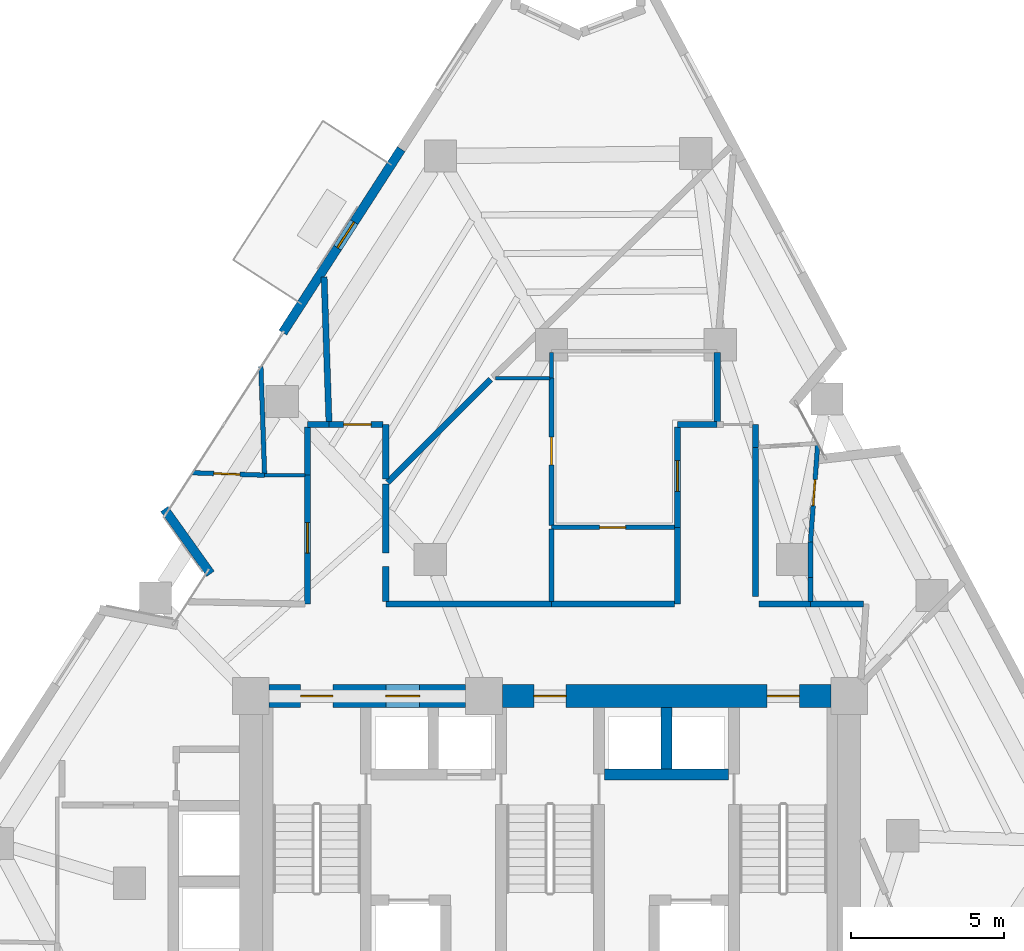
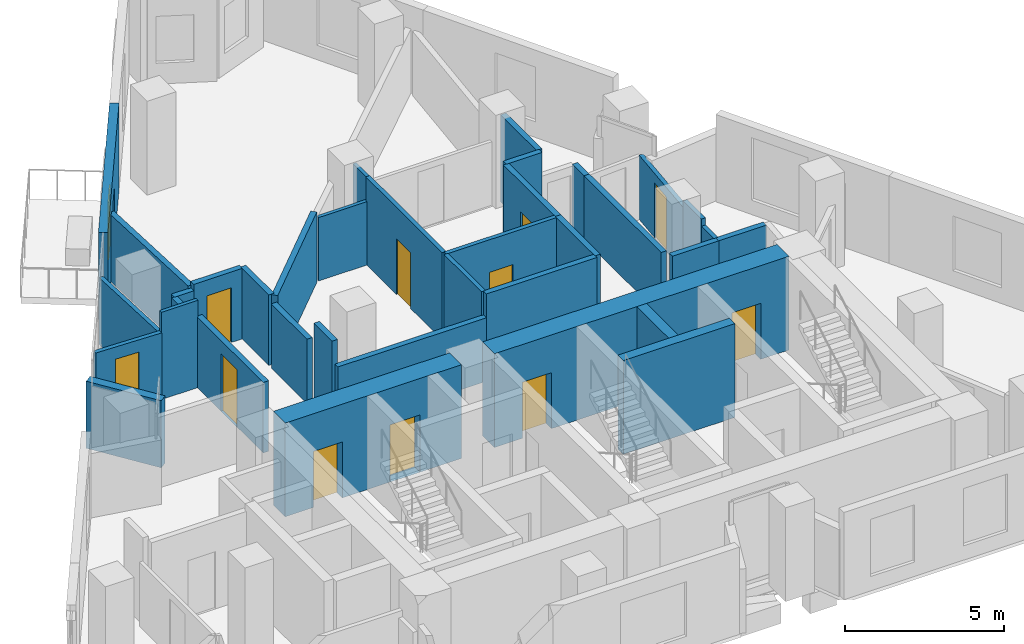
# One storey, part 7 of 10: 36 walls, 12 doors, 12 openings.
"""IFC4 building model written with IfcOpenShell, lengths in metres."""

from ifc_helpers import new_model, si_unit, direction, frame, frame_2d, origin, place, context, subcontext, project, spatial, rectangle, extrude, material, layer, layer_set, type_object, element, fill, save


model = new_model("IFC4")

# Units and contexts
model_context = context("Model", 3, precision=1e-05, world=origin(), true_north=direction((0.0, 1.0)))
body_context = subcontext(model_context, "Body", "Model", "MODEL_VIEW")
ifc_project = project(units=[si_unit("LENGTHUNIT", "METRE"), si_unit("AREAUNIT", "SQUARE_METRE"), si_unit("VOLUMEUNIT", "CUBIC_METRE"), si_unit("PLANEANGLEUNIT", "RADIAN"), si_unit("MASSUNIT", "GRAM", prefix="KILO")], contexts=[model_context])

# Site, building, storey
site_placement = place(None, origin())
site = spatial("IfcSite", under=ifc_project, at=site_placement, CompositionType="ELEMENT")
building_placement = place(site_placement, origin())
building = spatial("IfcBuilding", under=site, at=building_placement, Name="Almagre Mirador Tower", CompositionType="ELEMENT")
storey_placement = place(building_placement, frame((0.0, 0.0, 186.0)))
storey = spatial("IfcBuildingStorey", under=building, at=storey_placement, Name="L48", CompositionType="ELEMENT", Elevation=186.0)

# Wall
ifc_material_1 = material(Name="Precast concrete C50/60", Category="concrete")
ifc_layer_1 = layer(ifc_material_1, 0.300048828125)
ifc_layer_set_1 = layer_set([ifc_layer_1], Name="Precast concrete C50/60")
wall_type_1 = type_object("IfcWallType", Name="WAL-EXT-300", PredefinedType="SOLIDWALL", material=ifc_layer_set_1)
wall_1_placement = place(storey_placement, frame((26.2373046875, 18.737060546875, 0.0), z_axis=(0.0, 0.0, 1.0), x_axis=(-0.580472212384, 0.814280056645, 0.0)))
element("IfcWall", 1, at=wall_1_placement, inside=storey, type_object=wall_type_1, Name="L48 expressed almagre precast frame wall 02", PredefinedType="SOLIDWALL", context=body_context, shape_type="SweptSolid", body=[
    extrude(rectangle(XDim=2.59375, YDim=0.300048828125, at=frame_2d((1.296875, 0.0))), origin(), (0.0, 0.0, 1.0), 2.574951171875),
])

# Wall, opening, door
wall_2_placement = place(storey_placement, frame((28.593994140625, 26.59716796875, 0.0), z_axis=(0.0, 0.0, 1.0), x_axis=(0.542031523986, 0.840358154006, 0.0)))
wall_2 = element("IfcWall", 2, at=wall_2_placement, inside=storey, type_object=wall_type_1, Name="L48 expressed almagre precast frame wall 03", PredefinedType="SOLIDWALL", context=body_context, shape_type="SweptSolid", body=[
    extrude(rectangle(XDim=7.11572265625, YDim=0.300048828125, at=frame_2d((3.557861328125, 0.0))), origin(), (0.0, 0.0, 1.0), 3.35009765625),
])
opening_1_placement = place(wall_2_placement, frame((3.2880859375, 0.0, 0.0)))
opening_1 = element("IfcOpeningElement", 3, at=opening_1_placement, cuts=wall_2, Name="Opening BD-01", PredefinedType="OPENING", context=body_context, shape_type="SweptSolid", body=[
    extrude(rectangle(XDim=1.0, YDim=2.199951171875, at=frame_2d((0.5, 1.10009765625))), frame((0.0, 0.159902, 0.0), z_axis=(0.0, -1.0, 0.0), x_axis=(1.0, 0.0, 0.0)), (0.0, 0.0, 1.0), 0.320049),
])
ifc_material_2 = material(Name="Black anodized aluminium and laminated glass", Category="aluminium")
door_type_1 = type_object("IfcDoorType", Name="DOR-BAL-1000X2200", OperationType="NOTDEFINED", PredefinedType="DOOR", material=ifc_material_2)
door_1_placement = place(opening_1_placement, origin())
door_1 = element("IfcDoor", 4, at=door_1_placement, inside=storey, type_object=door_type_1, Name="DR-1510 L48 west balcony glazed door 1", OperationType="SINGLE_SWING_LEFT", OverallHeight=2.199951171875, OverallWidth=1.0, PredefinedType="DOOR", context=body_context, shape_type="SweptSolid", body=[
    extrude(rectangle(XDim=1.0, YDim=2.199951171875, at=frame_2d((0.5, 1.10009765625))), frame((0.0, 0.02490234375, 0.0), z_axis=(0.0, -1.0, 0.0), x_axis=(1.0, 0.0, 0.0)), (0.0, 0.0, 1.0), 0.050048828125),
])
fill(opening_1, door_1)

# Walls
ifc_material_3 = material(Name="Gypsum acoustic stud partition", Category="other")
ifc_layer_2 = layer(ifc_material_3, 0.125)
ifc_layer_set_2 = layer_set([ifc_layer_2], Name="Gypsum acoustic stud partition")
wall_type_2 = type_object("IfcWallType", Name="WAL-PRT-125-UTL", PredefinedType="PARTITIONING", material=ifc_layer_set_2)
wall_3_placement = place(storey_placement, frame((29.31494140625, 21.949951171875, 0.0), z_axis=(0.0, 0.0, 1.0), x_axis=(-1.0, 0.0, 0.0)))
element("IfcWall", 5, at=wall_3_placement, inside=storey, type_object=wall_type_2, Name="L48 interior partition 040", PredefinedType="PARTITIONING", context=body_context, shape_type="SweptSolid", body=[
    extrude(rectangle(XDim=1.31494140625, YDim=0.125, at=frame_2d((0.657470703125, 0.0))), origin(), (0.0, 0.0, 1.0), 3.35009765625),
])
wall_4_placement = place(storey_placement, frame((37.35009765625, 25.9423828125, 0.0), z_axis=(0.0, 0.0, 1.0), x_axis=(0.0, -1.0, 0.0)))
element("IfcWall", 6, at=wall_4_placement, inside=storey, type_object=wall_type_2, Name="L48 interior partition 045", PredefinedType="PARTITIONING", context=body_context, shape_type="SweptSolid", body=[
    extrude(rectangle(XDim=0.832275390625, YDim=0.125, at=frame_2d((0.416015625, 0.0))), origin(), (0.0, 0.0, 1.0), 3.35009765625),
])
wall_5_placement = place(storey_placement, frame((35.530029296875, 25.110107421875, 0.0), z_axis=(0.0, 0.0, 1.0), x_axis=(1.0, 0.0, 0.0)))
element("IfcWall", 7, at=wall_5_placement, inside=storey, type_object=wall_type_2, Name="L48 interior partition 049", PredefinedType="PARTITIONING", context=body_context, shape_type="SweptSolid", body=[
    extrude(rectangle(XDim=1.7724609375, YDim=0.125, at=frame_2d((0.88623046875, 0.0))), origin(), (0.0, 0.0, 1.0), 2.43603515625),
])

# Wall, opening, door
ifc_material_4 = material(Name="Gypsum acoustic stud partition", Category="other")
ifc_layer_3 = layer(ifc_material_4, 0.14990234375)
ifc_layer_set_3 = layer_set([ifc_layer_3], Name="Gypsum acoustic stud partition")
wall_type_3 = type_object("IfcWallType", Name="WAL-PRT-150-STD", PredefinedType="PARTITIONING", material=ifc_layer_set_3)
wall_6_placement = place(storey_placement, frame((28.0, 21.949951171875, 0.0), z_axis=(0.0, 0.0, 1.0), x_axis=(-0.999434960864, 0.033611887826, 0.0)))
wall_6 = element("IfcWall", 8, at=wall_6_placement, inside=storey, type_object=wall_type_3, Name="L48 interior partition 039", PredefinedType="PARTITIONING", context=body_context, shape_type="SweptSolid", body=[
    extrude(rectangle(XDim=2.353271484375, YDim=0.14990234375, at=frame_2d((1.1767578125, 0.0))), origin(), (0.0, 0.0, 1.0), 2.570068359375),
])
opening_2_placement = place(wall_6_placement, frame((0.807373046875, 0.0, 0.0)))
opening_2 = element("IfcOpeningElement", 9, at=opening_2_placement, cuts=wall_6, Name="Opening UD-04", PredefinedType="OPENING", context=body_context, shape_type="SweptSolid", body=[
    extrude(rectangle(XDim=0.85009765625, YDim=2.10009765625, at=frame_2d((0.425048828125, 1.050048828125))), frame((0.0, 0.084951, 0.0), z_axis=(0.0, -1.0, 0.0), x_axis=(1.0, 0.0, 0.0)), (0.0, 0.0, 1.0), 0.169902),
])
ifc_material_5 = material(Name="Moisture-resistant oak timber", Category="wood")
door_type_2 = type_object("IfcDoorType", Name="DOR-UNR-850X2100", OperationType="NOTDEFINED", PredefinedType="DOOR", material=ifc_material_5)
door_2_placement = place(opening_2_placement, origin())
door_2 = element("IfcDoor", 10, at=door_2_placement, inside=storey, type_object=door_type_2, Name="DR-1522 L48 interior door L48-UD-ST to L48-UD-BT", OperationType="SINGLE_SWING_RIGHT", OverallHeight=2.10009765625, OverallWidth=0.85009765625, PredefinedType="DOOR", context=body_context, shape_type="SweptSolid", body=[
    extrude(rectangle(XDim=0.85009765625, YDim=2.10009765625, at=frame_2d((0.425048828125, 1.050048828125))), frame((0.0, 0.02490234375, 0.0), z_axis=(0.0, -1.0, 0.0), x_axis=(1.0, 0.0, 0.0)), (0.0, 0.0, 1.0), 0.050048828125),
])
fill(opening_2, door_2)

# Wall
wall_7_placement = place(storey_placement, frame((27.997802734375, 22.010009765625, 0.0), z_axis=(0.0, 0.0, 1.0), x_axis=(-0.034165077287, 0.999416203338, 0.0)))
element("IfcWall", 11, at=wall_7_placement, inside=storey, type_object=wall_type_3, Name="L48 interior partition 041", PredefinedType="PARTITIONING", context=body_context, shape_type="SweptSolid", body=[
    extrude(rectangle(XDim=3.47998046875, YDim=0.14990234375, at=frame_2d((1.739990234375, 0.0))), origin(), (0.0, 0.0, 1.0), 2.570068359375),
])

# Wall, opening, door
wall_8_placement = place(storey_placement, frame((37.35009765625, 20.25, 0.0), z_axis=(0.0, 0.0, 1.0), x_axis=(1.0, 0.0, 0.0)))
wall_8 = element("IfcWall", 12, at=wall_8_placement, inside=storey, type_object=wall_type_3, Name="L48 interior partition 043", PredefinedType="PARTITIONING", context=body_context, shape_type="SweptSolid", body=[
    extrude(rectangle(XDim=4.014892578125, YDim=0.14990234375, at=frame_2d((2.00732421875, 0.0))), origin(), (0.0, 0.0, 1.0), 3.35009765625),
])
opening_3_placement = place(wall_8_placement, frame((1.565673828125, 0.0, 0.0)))
opening_3 = element("IfcOpeningElement", 13, at=opening_3_placement, cuts=wall_8, Name="Opening UD-04", PredefinedType="OPENING", context=body_context, shape_type="SweptSolid", body=[
    extrude(rectangle(XDim=0.85009765625, YDim=2.10009765625, at=frame_2d((0.425048828125, 1.050048828125))), frame((0.0, 0.084951, 0.0), z_axis=(0.0, -1.0, 0.0), x_axis=(1.0, 0.0, 0.0)), (0.0, 0.0, 1.0), 0.169902),
])
door_3_placement = place(opening_3_placement, origin())
door_3 = element("IfcDoor", 14, at=door_3_placement, inside=storey, type_object=door_type_2, Name="DR-1525 L48 interior door L48-UE-LV to L48-UE-HB", OperationType="SINGLE_SWING_LEFT", OverallHeight=2.10009765625, OverallWidth=0.85009765625, PredefinedType="DOOR", context=body_context, shape_type="SweptSolid", body=[
    extrude(rectangle(XDim=0.85009765625, YDim=2.10009765625, at=frame_2d((0.425048828125, 1.050048828125))), frame((0.0, 0.02490234375, 0.0), z_axis=(0.0, -1.0, 0.0), x_axis=(1.0, 0.0, 0.0)), (0.0, 0.0, 1.0), 0.050048828125),
])
fill(opening_3, door_3)

wall_9_placement = place(storey_placement, frame((37.35009765625, 25.110107421875, 0.0), z_axis=(0.0, 0.0, 1.0), x_axis=(0.0, -1.0, 0.0)))
wall_9 = element("IfcWall", 15, at=wall_9_placement, inside=storey, type_object=wall_type_3, Name="L48 interior partition 046", PredefinedType="PARTITIONING", context=body_context, shape_type="SweptSolid", body=[
    extrude(rectangle(XDim=4.800048828125, YDim=0.14990234375, at=frame_2d((2.39990234375, 0.0))), origin(), (0.0, 0.0, 1.0), 3.35009765625),
])
opening_4_placement = place(wall_9_placement, frame((1.920654296875, 0.0, 0.0)))
opening_4 = element("IfcOpeningElement", 16, at=opening_4_placement, cuts=wall_9, Name="Opening UD-02", PredefinedType="OPENING", context=body_context, shape_type="SweptSolid", body=[
    extrude(rectangle(XDim=0.89990234375, YDim=2.14990234375, at=frame_2d((0.449951171875, 1.074951171875))), frame((0.0, 0.084951, 0.0), z_axis=(0.0, -1.0, 0.0), x_axis=(1.0, 0.0, 0.0)), (0.0, 0.0, 1.0), 0.169902),
])
ifc_material_6 = material(Name="Solid American walnut timber", Category="wood")
door_type_3 = type_object("IfcDoorType", Name="DOR-UNR-900X2150", OperationType="NOTDEFINED", PredefinedType="DOOR", material=ifc_material_6)
door_4_placement = place(opening_4_placement, origin())
door_4 = element("IfcDoor", 17, at=door_4_placement, inside=storey, type_object=door_type_3, Name="DR-1526 L48 interior door L48-UE-LV to L48-UE-MB", OperationType="SINGLE_SWING_RIGHT", OverallHeight=2.14990234375, OverallWidth=0.89990234375, PredefinedType="DOOR", context=body_context, shape_type="SweptSolid", body=[
    extrude(rectangle(XDim=0.89990234375, YDim=2.14990234375, at=frame_2d((0.449951171875, 1.074951171875))), frame((0.0, 0.02490234375, 0.0), z_axis=(0.0, -1.0, 0.0), x_axis=(1.0, 0.0, 0.0)), (0.0, 0.0, 1.0), 0.050048828125),
])
fill(opening_4, door_4)

# Walls
wall_10_placement = place(storey_placement, frame((37.35009765625, 20.18994140625, 0.0), z_axis=(0.0, 0.0, 1.0), x_axis=(0.0, -1.0, 0.0)))
element("IfcWall", 18, at=wall_10_placement, inside=storey, type_object=wall_type_3, Name="L48 interior partition 048", PredefinedType="PARTITIONING", context=body_context, shape_type="SweptSolid", body=[
    extrude(rectangle(XDim=2.35498046875, YDim=0.14990234375, at=frame_2d((1.177490234375, 0.0))), origin(), (0.0, 0.0, 1.0), 3.35009765625),
])
wall_11_placement = place(storey_placement, frame((45.7900390625, 18.6201171875, 0.0), z_axis=(0.0, 0.0, 1.0), x_axis=(0.0, -1.0, 0.0)))
element("IfcWall", 19, at=wall_11_placement, inside=storey, type_object=wall_type_3, Name="L48 interior partition 054", PredefinedType="PARTITIONING", context=body_context, shape_type="SweptSolid", body=[
    extrude(rectangle(XDim=0.78515625, YDim=0.14990234375, at=frame_2d((0.392578125, 0.0))), origin(), (0.0, 0.0, 1.0), 2.43603515625),
])

# Wall, opening, door
wall_12_placement = place(storey_placement, frame((46.0234375, 22.939697265625, 0.0), z_axis=(0.0, 0.0, 1.0), x_axis=(-0.073667317679, -0.99728287176, 0.0)))
wall_12 = element("IfcWall", 20, at=wall_12_placement, inside=storey, type_object=wall_type_3, Name="L48 interior partition 055", PredefinedType="PARTITIONING", context=body_context, shape_type="SweptSolid", body=[
    extrude(rectangle(XDim=3.168212890625, YDim=0.14990234375, at=frame_2d((1.583984375, 0.0))), origin(), (0.0, 0.0, 1.0), 2.464111328125),
])
opening_5_placement = place(wall_12_placement, frame((1.135498046875, 0.0, 0.0)))
opening_5 = element("IfcOpeningElement", 21, at=opening_5_placement, cuts=wall_12, Name="Opening UD-04", PredefinedType="OPENING", context=body_context, shape_type="SweptSolid", body=[
    extrude(rectangle(XDim=0.85009765625, YDim=2.10009765625, at=frame_2d((0.425048828125, 1.050048828125))), frame((0.0, 0.084951, 0.0), z_axis=(0.0, -1.0, 0.0), x_axis=(1.0, 0.0, 0.0)), (0.0, 0.0, 1.0), 0.169902),
])
door_5_placement = place(opening_5_placement, origin())
door_5 = element("IfcDoor", 22, at=door_5_placement, inside=storey, type_object=door_type_2, Name="DR-1529 L48 interior door L48-UF-BT to L48-UF-KT", OperationType="SINGLE_SWING_RIGHT", OverallHeight=2.10009765625, OverallWidth=0.85009765625, PredefinedType="DOOR", context=body_context, shape_type="SweptSolid", body=[
    extrude(rectangle(XDim=0.85009765625, YDim=2.10009765625, at=frame_2d((0.425048828125, 1.050048828125))), frame((0.0, 0.02490234375, 0.0), z_axis=(0.0, -1.0, 0.0), x_axis=(1.0, 0.0, 0.0)), (0.0, 0.0, 1.0), 0.050048828125),
])
fill(opening_5, door_5)

# Wall
wall_13_placement = place(storey_placement, frame((45.7900390625, 19.780029296875, 0.0), z_axis=(0.0, 0.0, 1.0), x_axis=(0.0, -1.0, 0.0)))
element("IfcWall", 23, at=wall_13_placement, inside=storey, type_object=wall_type_3, Name="L48 interior partition 061", PredefinedType="PARTITIONING", context=body_context, shape_type="SweptSolid", body=[
    extrude(rectangle(XDim=1.159912109375, YDim=0.14990234375, at=frame_2d((0.580078125, 0.0))), origin(), (0.0, 0.0, 1.0), 2.708984375),
])

# Wall, opening, door
ifc_material_7 = material(Name="Gypsum acoustic stud partition", Category="other")
ifc_layer_4 = layer(ifc_material_7, 0.199951171875)
ifc_layer_set_4 = layer_set([ifc_layer_4], Name="Gypsum acoustic stud partition")
wall_type_4 = type_object("IfcWallType", Name="WAL-PRT-200-EI60", PredefinedType="PARTITIONING", material=ifc_layer_set_4)
wall_14_placement = place(storey_placement, frame((29.39990234375, 21.949951171875, 0.0), z_axis=(0.0, 0.0, 1.0), x_axis=(0.0, -1.0, 0.0)))
wall_14 = element("IfcWall", 24, at=wall_14_placement, inside=storey, type_object=wall_type_4, Name="L48 interior partition 003", PredefinedType="PARTITIONING", context=body_context, shape_type="SweptSolid", body=[
    extrude(rectangle(XDim=4.199951171875, YDim=0.199951171875, at=frame_2d((2.10009765625, 0.0))), origin(), (0.0, 0.0, 1.0), 2.708984375),
])
opening_6_placement = place(wall_14_placement, frame((1.54150390625, 0.0, 0.0)))
opening_6 = element("IfcOpeningElement", 25, at=opening_6_placement, cuts=wall_14, Name="Opening ID-01", PredefinedType="OPENING", context=body_context, shape_type="SweptSolid", body=[
    extrude(rectangle(XDim=1.0, YDim=2.199951171875, at=frame_2d((0.5, 1.10009765625))), frame((0.0, 0.110098, 0.0), z_axis=(0.0, -1.0, 0.0), x_axis=(1.0, 0.0, 0.0)), (0.0, 0.0, 1.0), 0.219951),
])
ifc_material_8 = material(Name="Fire-rated walnut timber", Category="wood")
door_type_4 = type_object("IfcDoorType", Name="DOR-FD60-1000X2200", OperationType="NOTDEFINED", PredefinedType="DOOR", material=ifc_material_8)
door_6_placement = place(opening_6_placement, origin())
door_6 = element("IfcDoor", 26, at=door_6_placement, inside=storey, type_object=door_type_4, Name="DR-1521 L48 interior door L48-RCOR to L48-UD-ST", OperationType="SINGLE_SWING_RIGHT", OverallHeight=2.199951171875, OverallWidth=1.0, PredefinedType="DOOR", context=body_context, shape_type="SweptSolid", body=[
    extrude(rectangle(XDim=1.0, YDim=2.199951171875, at=frame_2d((0.5, 1.10009765625))), frame((0.0, 0.02490234375, 0.0), z_axis=(0.0, -1.0, 0.0), x_axis=(1.0, 0.0, 0.0)), (0.0, 0.0, 1.0), 0.050048828125),
])
fill(opening_6, door_6)

# Walls
wall_15_placement = place(storey_placement, frame((30.10009765625, 23.60009765625, 0.0), z_axis=(0.0, 0.0, 1.0), x_axis=(-1.0, 0.0, 0.0)))
element("IfcWall", 27, at=wall_15_placement, inside=storey, type_object=wall_type_4, Name="L48 interior partition 005", PredefinedType="PARTITIONING", context=body_context, shape_type="SweptSolid", body=[
    extrude(rectangle(XDim=0.7001953125, YDim=0.199951171875, at=frame_2d((0.35009765625, 0.0))), origin(), (0.0, 0.0, 1.0), 2.464111328125),
])
wall_16_placement = place(storey_placement, frame((29.39990234375, 23.514892578125, 0.0), z_axis=(0.0, 0.0, 1.0), x_axis=(0.0, -1.0, 0.0)))
element("IfcWall", 28, at=wall_16_placement, inside=storey, type_object=wall_type_4, Name="L48 interior partition 006", PredefinedType="PARTITIONING", context=body_context, shape_type="SweptSolid", body=[
    extrude(rectangle(XDim=1.56494140625, YDim=0.199951171875, at=frame_2d((0.782470703125, 0.0))), origin(), (0.0, 0.0, 1.0), 2.464111328125),
])
wall_17_placement = place(storey_placement, frame((42.75, 23.60009765625, 0.0), z_axis=(0.0, 0.0, 1.0), x_axis=(-1.0, 0.0, 0.0)))
element("IfcWall", 29, at=wall_17_placement, inside=storey, type_object=wall_type_4, Name="L48 interior partition 007", PredefinedType="PARTITIONING", context=body_context, shape_type="SweptSolid", body=[
    extrude(rectangle(XDim=1.300048828125, YDim=0.199951171875, at=frame_2d((0.64990234375, 0.0))), origin(), (0.0, 0.0, 1.0), 3.35009765625),
])

# Wall, opening, door
wall_18_placement = place(storey_placement, frame((41.449951171875, 23.514892578125, 0.0), z_axis=(0.0, 0.0, 1.0), x_axis=(0.0, -1.0, 0.0)))
wall_18 = element("IfcWall", 30, at=wall_18_placement, inside=storey, type_object=wall_type_4, Name="L48 interior partition 008", PredefinedType="PARTITIONING", context=body_context, shape_type="SweptSolid", body=[
    extrude(rectangle(XDim=3.264892578125, YDim=0.199951171875, at=frame_2d((1.63232421875, 0.0))), origin(), (0.0, 0.0, 1.0), 3.35009765625),
])
opening_7_placement = place(wall_18_placement, frame((1.090087890625, 0.0, 0.0)))
opening_7 = element("IfcOpeningElement", 31, at=opening_7_placement, cuts=wall_18, Name="Opening ID-01", PredefinedType="OPENING", context=body_context, shape_type="SweptSolid", body=[
    extrude(rectangle(XDim=1.0, YDim=2.199951171875, at=frame_2d((0.5, 1.10009765625))), frame((0.0, 0.110098, 0.0), z_axis=(0.0, -1.0, 0.0), x_axis=(1.0, 0.0, 0.0)), (0.0, 0.0, 1.0), 0.219951),
])
door_7_placement = place(opening_7_placement, origin())
door_7 = element("IfcDoor", 32, at=door_7_placement, inside=storey, type_object=door_type_4, Name="DR-1523 L48 interior door L48-RCOR to L48-UE-LV", OperationType="SINGLE_SWING_LEFT", OverallHeight=2.199951171875, OverallWidth=1.0, PredefinedType="DOOR", context=body_context, shape_type="SweptSolid", body=[
    extrude(rectangle(XDim=1.0, YDim=2.199951171875, at=frame_2d((0.5, 1.10009765625))), frame((0.0, 0.02490234375, 0.0), z_axis=(0.0, -1.0, 0.0), x_axis=(1.0, 0.0, 0.0)), (0.0, 0.0, 1.0), 0.050048828125),
])
fill(opening_7, door_7)

# Walls
wall_19_placement = place(storey_placement, frame((41.449951171875, 20.25, 0.0), z_axis=(0.0, 0.0, 1.0), x_axis=(0.0, -1.0, 0.0)))
element("IfcWall", 33, at=wall_19_placement, inside=storey, type_object=wall_type_4, Name="L48 interior partition 009", PredefinedType="PARTITIONING", context=body_context, shape_type="SweptSolid", body=[
    extrude(rectangle(XDim=2.5, YDim=0.199951171875, at=frame_2d((1.25, 0.0))), origin(), (0.0, 0.0, 1.0), 3.35009765625),
])
wall_20_placement = place(storey_placement, frame((41.364990234375, 17.75, 0.0), z_axis=(0.0, 0.0, 1.0), x_axis=(-1.0, 0.0, 0.0)))
element("IfcWall", 34, at=wall_20_placement, inside=storey, type_object=wall_type_4, Name="L48 interior partition 010", PredefinedType="PARTITIONING", context=body_context, shape_type="SweptSolid", body=[
    extrude(rectangle(XDim=4.014892578125, YDim=0.199951171875, at=frame_2d((2.00732421875, 0.0))), origin(), (0.0, 0.0, 1.0), 3.35009765625),
])
wall_21_placement = place(storey_placement, frame((37.35009765625, 17.75, 0.0), z_axis=(0.0, 0.0, 1.0), x_axis=(-1.0, 0.0, 0.0)))
element("IfcWall", 35, at=wall_21_placement, inside=storey, type_object=wall_type_4, Name="L48 interior partition 011", PredefinedType="PARTITIONING", context=body_context, shape_type="SweptSolid", body=[
    extrude(rectangle(XDim=5.400146484375, YDim=0.199951171875, at=frame_2d((2.7001953125, 0.0))), origin(), (0.0, 0.0, 1.0), 2.43603515625),
])
wall_22_placement = place(storey_placement, frame((31.949951171875, 17.8349609375, 0.0), z_axis=(0.0, 0.0, 1.0), x_axis=(0.0, 1.0, 0.0)))
element("IfcWall", 36, at=wall_22_placement, inside=storey, type_object=wall_type_4, Name="L48 interior partition 012", PredefinedType="PARTITIONING", context=body_context, shape_type="SweptSolid", body=[
    extrude(rectangle(XDim=1.14501953125, YDim=0.199951171875, at=frame_2d((0.572509765625, 0.0))), origin(), (0.0, 0.0, 1.0), 3.35009765625),
])
wall_23_placement = place(storey_placement, frame((31.949951171875, 19.419921875, 0.0), z_axis=(0.0, 0.0, 1.0), x_axis=(0.0, 1.0, 0.0)))
element("IfcWall", 37, at=wall_23_placement, inside=storey, type_object=wall_type_4, Name="L48 interior partition 013", PredefinedType="PARTITIONING", context=body_context, shape_type="SweptSolid", body=[
    extrude(rectangle(XDim=2.239990234375, YDim=0.199951171875, at=frame_2d((1.1201171875, 0.0))), origin(), (0.0, 0.0, 1.0), 2.464111328125),
])
wall_24_placement = place(storey_placement, frame((44.0, 22.860107421875, 0.0), z_axis=(0.0, 0.0, 1.0), x_axis=(0.0, 1.0, 0.0)))
element("IfcWall", 38, at=wall_24_placement, inside=storey, type_object=wall_type_4, Name="L48 interior partition 014", PredefinedType="PARTITIONING", context=body_context, shape_type="SweptSolid", body=[
    extrude(rectangle(XDim=0.739990234375, YDim=0.199951171875, at=frame_2d((0.3701171875, 0.0))), origin(), (0.0, 0.0, 1.0), 2.43603515625),
])
wall_25_placement = place(storey_placement, frame((47.514892578125, 17.75, 0.0), z_axis=(0.0, 0.0, 1.0), x_axis=(-1.0, 0.0, 0.0)))
element("IfcWall", 39, at=wall_25_placement, inside=storey, type_object=wall_type_4, Name="L48 interior partition 017", PredefinedType="PARTITIONING", context=body_context, shape_type="SweptSolid", body=[
    extrude(rectangle(XDim=1.724853515625, YDim=0.199951171875, at=frame_2d((0.8623046875, 0.0))), origin(), (0.0, 0.0, 1.0), 2.43603515625),
])
wall_26_placement = place(storey_placement, frame((44.0, 18.0, 0.0), z_axis=(0.0, 0.0, 1.0), x_axis=(0.0, 1.0, 0.0)))
element("IfcWall", 40, at=wall_26_placement, inside=storey, type_object=wall_type_4, Name="L48 interior partition 018", PredefinedType="PARTITIONING", context=body_context, shape_type="SweptSolid", body=[
    extrude(rectangle(XDim=4.860107421875, YDim=0.199951171875, at=frame_2d((2.43017578125, 0.0))), origin(), (0.0, 0.0, 1.0), 2.43603515625),
])
wall_27_placement = place(storey_placement, frame((45.7900390625, 17.75, 0.0), z_axis=(0.0, 0.0, 1.0), x_axis=(-1.0, 0.0, 0.0)))
element("IfcWall", 41, at=wall_27_placement, inside=storey, type_object=wall_type_4, Name="L48 interior partition 019", PredefinedType="PARTITIONING", context=body_context, shape_type="SweptSolid", body=[
    extrude(rectangle(XDim=1.679931640625, YDim=0.199951171875, at=frame_2d((0.83984375, 0.0))), origin(), (0.0, 0.0, 1.0), 2.43603515625),
])
wall_28_placement = place(storey_placement, frame((31.949951171875, 21.820068359375, 0.0), z_axis=(0.0, 0.0, 1.0), x_axis=(0.0, 1.0, 0.0)))
element("IfcWall", 42, at=wall_28_placement, inside=storey, type_object=wall_type_4, Name="L48 interior partition 020", PredefinedType="PARTITIONING", context=body_context, shape_type="SweptSolid", body=[
    extrude(rectangle(XDim=1.780029296875, YDim=0.199951171875, at=frame_2d((0.89013671875, 0.0))), origin(), (0.0, 0.0, 1.0), 2.708984375),
])

# Wall, opening, door
wall_29_placement = place(storey_placement, frame((31.864990234375, 23.60009765625, 0.0), z_axis=(0.0, 0.0, 1.0), x_axis=(-1.0, 0.0, 0.0)))
wall_29 = element("IfcWall", 43, at=wall_29_placement, inside=storey, type_object=wall_type_4, Name="L48 interior partition 021", PredefinedType="PARTITIONING", context=body_context, shape_type="SweptSolid", body=[
    extrude(rectangle(XDim=1.764892578125, YDim=0.199951171875, at=frame_2d((0.88232421875, 0.0))), origin(), (0.0, 0.0, 1.0), 2.708984375),
])
opening_8_placement = place(wall_29_placement, frame((0.389892578125, 0.0, 0.0)))
opening_8 = element("IfcOpeningElement", 44, at=opening_8_placement, cuts=wall_29, Name="Opening ID-03", PredefinedType="OPENING", context=body_context, shape_type="SweptSolid", body=[
    extrude(rectangle(XDim=0.89990234375, YDim=2.10009765625, at=frame_2d((0.449951171875, 1.050048828125))), frame((0.0, 0.110098, 0.0), z_axis=(0.0, -1.0, 0.0), x_axis=(1.0, 0.0, 0.0)), (0.0, 0.0, 1.0), 0.219951),
])
ifc_material_9 = material(Name="Fire-rated hollow steel", Category="steel")
door_type_5 = type_object("IfcDoorType", Name="DOR-FD60-900X2100", OperationType="NOTDEFINED", PredefinedType="DOOR", material=ifc_material_9)
door_8_placement = place(opening_8_placement, origin())
door_8 = element("IfcDoor", 45, at=door_8_placement, inside=storey, type_object=door_type_5, Name="DR-1516 L48 interior door L48-RCOR to L48-RST-G", OperationType="SINGLE_SWING_RIGHT", OverallHeight=2.10009765625, OverallWidth=0.89990234375, PredefinedType="DOOR", context=body_context, shape_type="SweptSolid", body=[
    extrude(rectangle(XDim=0.89990234375, YDim=2.10009765625, at=frame_2d((0.449951171875, 1.050048828125))), frame((0.0, 0.02490234375, 0.0), z_axis=(0.0, -1.0, 0.0), x_axis=(1.0, 0.0, 0.0)), (0.0, 0.0, 1.0), 0.050048828125),
])
fill(opening_8, door_8)

# Walls
wall_30_placement = place(storey_placement, frame((30.097900390625, 23.68505859375, 0.0), z_axis=(0.0, 0.0, 1.0), x_axis=(-0.033582780866, 0.999435939332, 0.0)))
element("IfcWall", 46, at=wall_30_placement, inside=storey, type_object=wall_type_4, Name="L48 interior partition 042", PredefinedType="PARTITIONING", context=body_context, shape_type="SweptSolid", body=[
    extrude(rectangle(XDim=4.732666015625, YDim=0.199951171875, at=frame_2d((2.3662109375, 0.0))), origin(), (0.0, 0.0, 1.0), 2.570068359375),
])
wall_31_placement = place(storey_placement, frame((42.75, 23.68505859375, 0.0), z_axis=(0.0, 0.0, 1.0), x_axis=(0.0, 1.0, 0.0)))
element("IfcWall", 47, at=wall_31_placement, inside=storey, type_object=wall_type_4, Name="L48 interior partition 047", PredefinedType="PARTITIONING", context=body_context, shape_type="SweptSolid", body=[
    extrude(rectangle(XDim=2.25732421875, YDim=0.199951171875, at=frame_2d((1.128662109375, 0.0))), origin(), (0.0, 0.0, 1.0), 3.35009765625),
])
wall_32_placement = place(storey_placement, frame((35.366455078125, 25.076416015625, 0.0), z_axis=(0.0, 0.0, 1.0), x_axis=(-0.707132498369, -0.707081063069, 0.0)))
element("IfcWall", 48, at=wall_32_placement, inside=storey, type_object=wall_type_4, Name="L48 interior partition 052", PredefinedType="PARTITIONING", context=body_context, shape_type="SweptSolid", body=[
    extrude(rectangle(XDim=4.74658203125, YDim=0.199951171875, at=frame_2d((2.373291015625, 0.0))), origin(), (0.0, 0.0, 1.0), 2.708984375),
])
ifc_material_10 = material(Name="Concrete C60/75", Category="concrete")
ifc_layer_5 = layer(ifc_material_10, 0.35009765625)
ifc_layer_set_5 = layer_set([ifc_layer_5], Name="Concrete C60/75")
wall_type_5 = type_object("IfcWallType", Name="WAL-SHF-350", PredefinedType="SOLIDWALL", material=ifc_layer_set_5)
wall_33_placement = place(storey_placement, frame((39.074951171875, 12.199951171875, 0.0), z_axis=(0.0, 0.0, 1.0), x_axis=(1.0, 0.0, 0.0)))
element("IfcWall", 49, at=wall_33_placement, inside=storey, type_object=wall_type_5, Name="L48 shaft wall PLH-S", PredefinedType="SOLIDWALL", context=body_context, shape_type="SweptSolid", body=[
    extrude(rectangle(XDim=4.050048828125, YDim=0.35009765625, at=frame_2d((2.02490234375, 0.0))), origin(), (0.0, 0.0, 1.0), 3.60009765625),
])
wall_34_placement = place(storey_placement, frame((41.10009765625, 12.375, 0.0), z_axis=(0.0, 0.0, 1.0), x_axis=(0.0, 1.0, 0.0)))
element("IfcWall", 50, at=wall_34_placement, inside=storey, type_object=wall_type_5, Name="L48 shaft wall PLH-M", PredefinedType="SOLIDWALL", context=body_context, shape_type="SweptSolid", body=[
    extrude(rectangle(XDim=2.0, YDim=0.35009765625, at=frame_2d((1.0, 0.0))), origin(), (0.0, 0.0, 1.0), 3.60009765625),
])

# Wall, openings, doors
ifc_material_11 = material(Name="Concrete C60/75", Category="concrete")
ifc_layer_6 = layer(ifc_material_11, 0.75)
ifc_layer_set_6 = layer_set([ifc_layer_6], Name="Concrete C60/75")
wall_type_6 = type_object("IfcWallType", Name="WAL-SHR-750", PredefinedType="SHEAR", material=ifc_layer_set_6)
wall_35_placement = place(storey_placement, frame((28.14990234375, 14.75, 0.0), z_axis=(0.0, 0.0, 1.0), x_axis=(1.0, 0.0, 0.0)))
wall_35 = element("IfcWall", 51, at=wall_35_placement, inside=storey, type_object=wall_type_6, Name="L48 core shear wall N1", PredefinedType="SHEAR", context=body_context, shape_type="SweptSolid", body=[
    extrude(rectangle(XDim=6.400146484375, YDim=0.75, at=frame_2d((3.2001953125, 0.0))), origin(), (0.0, 0.0, 1.0), 3.60009765625),
])
opening_9_placement = place(wall_35_placement, frame((1.02490234375, 0.0, 0.0)))
opening_9 = element("IfcOpeningElement", 52, at=opening_9_placement, cuts=wall_35, Name="Opening SD-01", PredefinedType="OPENING", context=body_context, shape_type="SweptSolid", body=[
    extrude(rectangle(XDim=1.050048828125, YDim=2.14990234375, at=frame_2d((0.52490234375, 1.074951171875))), frame((0.0, 0.385, 0.0), z_axis=(0.0, -1.0, 0.0), x_axis=(1.0, 0.0, 0.0)), (0.0, 0.0, 1.0), 0.77),
])
opening_10_placement = place(wall_35_placement, frame((3.800048828125, 0.0, 0.0)))
opening_10 = element("IfcOpeningElement", 53, at=opening_10_placement, cuts=wall_35, Name="Opening LD-01", PredefinedType="OPENING", context=body_context, shape_type="SweptSolid", body=[
    extrude(rectangle(XDim=1.10009765625, YDim=2.199951171875, at=frame_2d((0.550048828125, 1.10009765625))), frame((0.0, 0.385, 0.0), z_axis=(0.0, -1.0, 0.0), x_axis=(1.0, 0.0, 0.0)), (0.0, 0.0, 1.0), 0.77),
])
ifc_material_12 = material(Name="Hollow stainless steel", Category="steel")
door_type_6 = type_object("IfcDoorType", Name="DOR-LD-1100X2200", OperationType="DOUBLE_DOOR_SLIDING", PredefinedType="DOOR", material=ifc_material_12)
door_9_placement = place(opening_10_placement, origin())
door_9 = element("IfcDoor", 54, at=door_9_placement, inside=storey, type_object=door_type_6, Name="DR-1534 L48 PL-M1 lift landing door", OperationType="DOUBLE_DOOR_SLIDING", OverallHeight=2.199951171875, OverallWidth=1.10009765625, PredefinedType="DOOR", context=body_context, shape_type="SweptSolid", body=[
    extrude(rectangle(XDim=1.10009765625, YDim=2.199951171875, at=frame_2d((0.550048828125, 1.10009765625))), frame((0.0, 0.02490234375, 0.0), z_axis=(0.0, -1.0, 0.0), x_axis=(1.0, 0.0, 0.0)), (0.0, 0.0, 1.0), 0.050048828125),
])
fill(opening_10, door_9)
ifc_material_13 = material(Name="Fire-rated hollow steel", Category="steel")
door_type_7 = type_object("IfcDoorType", Name="DOR-ST-1050X2150", OperationType="NOTDEFINED", PredefinedType="DOOR", material=ifc_material_13)
door_10_placement = place(opening_9_placement, origin())
door_10 = element("IfcDoor", 55, at=door_10_placement, inside=storey, type_object=door_type_7, Name="DR-1536 L48 protected exit stair ST-1 door", OperationType="SINGLE_SWING_RIGHT", OverallHeight=2.14990234375, OverallWidth=1.050048828125, PredefinedType="DOOR", context=body_context, shape_type="SweptSolid", body=[
    extrude(rectangle(XDim=1.050048828125, YDim=2.14990234375, at=frame_2d((0.52490234375, 1.074951171875))), frame((0.0, 0.02490234375, 0.0), z_axis=(0.0, -1.0, 0.0), x_axis=(1.0, 0.0, 0.0)), (0.0, 0.0, 1.0), 0.050048828125),
])
fill(opening_9, door_10)

wall_36_placement = place(storey_placement, frame((35.75, 14.75, 0.0), z_axis=(0.0, 0.0, 1.0), x_axis=(1.0, 0.0, 0.0)))
wall_36 = element("IfcWall", 56, at=wall_36_placement, inside=storey, type_object=wall_type_6, Name="L48 core shear wall N2", PredefinedType="SHEAR", context=body_context, shape_type="SweptSolid", body=[
    extrude(rectangle(XDim=10.699951171875, YDim=0.75, at=frame_2d((5.35009765625, 0.0))), origin(), (0.0, 0.0, 1.0), 3.60009765625),
])
opening_11_placement = place(wall_36_placement, frame((1.02490234375, 0.0, 0.0)))
opening_11 = element("IfcOpeningElement", 57, at=opening_11_placement, cuts=wall_36, Name="Opening SD-01", PredefinedType="OPENING", context=body_context, shape_type="SweptSolid", body=[
    extrude(rectangle(XDim=1.050048828125, YDim=2.14990234375, at=frame_2d((0.52490234375, 1.074951171875))), frame((0.0, 0.385, 0.0), z_axis=(0.0, -1.0, 0.0), x_axis=(1.0, 0.0, 0.0)), (0.0, 0.0, 1.0), 0.77),
])
opening_12_placement = place(wall_36_placement, frame((8.625, 0.0, 0.0)))
opening_12 = element("IfcOpeningElement", 58, at=opening_12_placement, cuts=wall_36, Name="Opening SD-01", PredefinedType="OPENING", context=body_context, shape_type="SweptSolid", body=[
    extrude(rectangle(XDim=1.050048828125, YDim=2.14990234375, at=frame_2d((0.52490234375, 1.074951171875))), frame((0.0, 0.385, 0.0), z_axis=(0.0, -1.0, 0.0), x_axis=(1.0, 0.0, 0.0)), (0.0, 0.0, 1.0), 0.77),
])
door_11_placement = place(opening_11_placement, origin())
door_11 = element("IfcDoor", 59, at=door_11_placement, inside=storey, type_object=door_type_7, Name="DR-1537 L48 protected exit stair ST-2 door", OperationType="SINGLE_SWING_RIGHT", OverallHeight=2.14990234375, OverallWidth=1.050048828125, PredefinedType="DOOR", context=body_context, shape_type="SweptSolid", body=[
    extrude(rectangle(XDim=1.050048828125, YDim=2.14990234375, at=frame_2d((0.52490234375, 1.074951171875))), frame((0.0, 0.02490234375, 0.0), z_axis=(0.0, -1.0, 0.0), x_axis=(1.0, 0.0, 0.0)), (0.0, 0.0, 1.0), 0.050048828125),
])
fill(opening_11, door_11)
door_12_placement = place(opening_12_placement, origin())
door_12 = element("IfcDoor", 60, at=door_12_placement, inside=storey, type_object=door_type_7, Name="DR-1538 L48 protected exit stair ST-3 door", OperationType="SINGLE_SWING_LEFT", OverallHeight=2.14990234375, OverallWidth=1.050048828125, PredefinedType="DOOR", context=body_context, shape_type="SweptSolid", body=[
    extrude(rectangle(XDim=1.050048828125, YDim=2.14990234375, at=frame_2d((0.52490234375, 1.074951171875))), frame((0.0, 0.02490234375, 0.0), z_axis=(0.0, -1.0, 0.0), x_axis=(1.0, 0.0, 0.0)), (0.0, 0.0, 1.0), 0.050048828125),
])
fill(opening_12, door_12)

save(model, "model.ifc")
